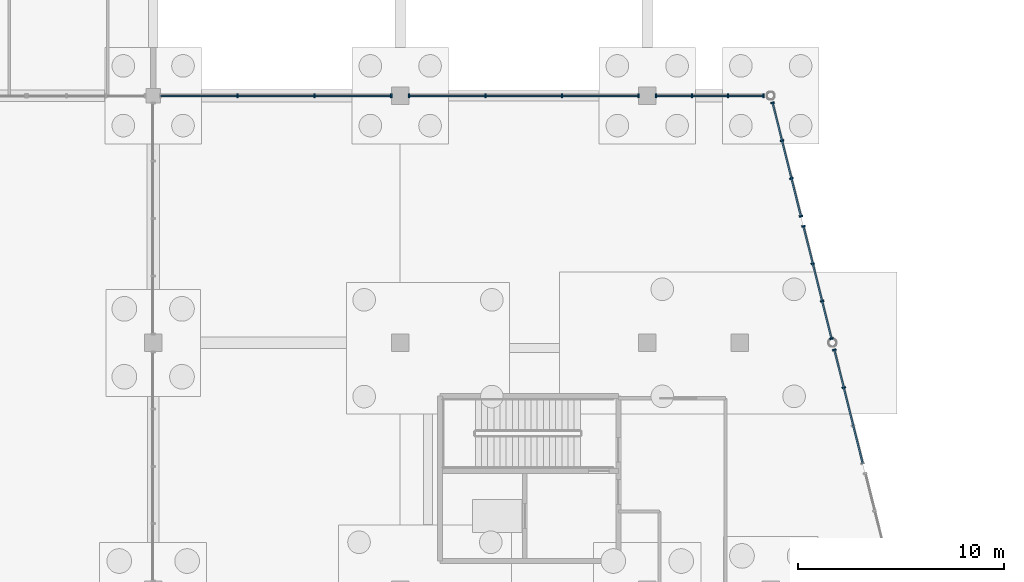
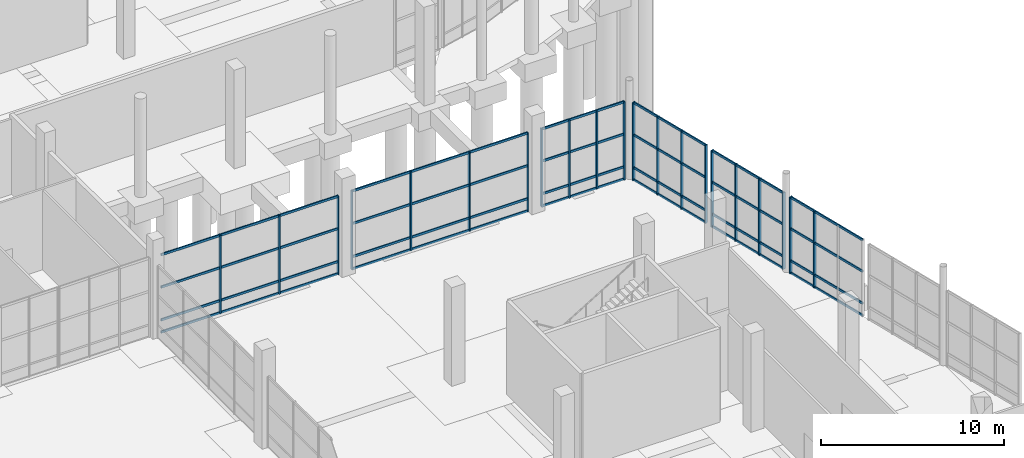
# One storey, part 54 of 117: 45 members, 6 elements without a shape of their own.
"""IFC4 building model written with IfcOpenShell, lengths in metres."""

from ifc_helpers import new_model, si_unit, direction, frame, origin, origin_2d, place, context, subcontext, project, spatial, rectangle, extrude, material, material_profile, profile_set, type_object, element, aggregate, save


model = new_model("IFC4")

# Units and contexts
model_context = context("Model", 3, precision=1e-05, world=origin(), true_north=direction((0.0, 1.0)))
body_context = subcontext(model_context, "Body", "Model", "MODEL_VIEW")
ifc_project = project(units=[si_unit("LENGTHUNIT", "METRE"), si_unit("AREAUNIT", "SQUARE_METRE"), si_unit("VOLUMEUNIT", "CUBIC_METRE"), si_unit("PLANEANGLEUNIT", "RADIAN"), si_unit("MASSUNIT", "GRAM", prefix="KILO")], contexts=[model_context])

# Site, building, storey
site_placement = place(None, origin())
site = spatial("IfcSite", under=ifc_project, at=site_placement, CompositionType="ELEMENT")
building_placement = place(site_placement, origin())
building = spatial("IfcBuilding", under=site, at=building_placement, Name="Kamomehara Wholesale Market", CompositionType="ELEMENT")
storey_placement = place(building_placement, origin())
storey = spatial("IfcBuildingStorey", under=building, at=storey_placement, Name="L00", CompositionType="ELEMENT", Elevation=0.0)

# Curtain wall, members
ifc_material_1 = material(Name="Anodised aluminium 6063-T5", Category="aluminium")
curtain_wall_type_1 = type_object("IfcCurtainWallType", Name="CW-UN-09", PredefinedType="NOTDEFINED", material=ifc_material_1)
curtain_wall_1_placement = place(storey_placement, origin())
curtain_wall_1 = element("IfcCurtainWall", 1, at=curtain_wall_1_placement, inside=storey, type_object=curtain_wall_type_1, Name="Unitised curtain wall CW-167", PredefinedType="NOTDEFINED")
ifc_material_2 = material(Name="Anodised aluminium 6063-T5", Category="aluminium")
ifc_material_profile_1 = material_profile(ifc_material_2, rectangle(XDim=0.074951171875, YDim=0.179931640625, at=origin_2d()), Name="ALU-MUL-75x180")
ifc_profile_set_1 = profile_set([ifc_material_profile_1], Name="Anodised aluminium 6063-T5")
member_type_1 = type_object("IfcMemberType", Name="CW-MUL-180", PredefinedType="MULLION", material=ifc_profile_set_1)
member_1_placement = place(storey_placement, frame((189.0849609375, 83.659912109375, 0.0), z_axis=(0.0, 0.0, 1.0), x_axis=(0.242617855844, -0.97012193874, 0.0)))
member_1 = element("IfcMember", 2, at=member_1_placement, type_object=member_type_1, Name="Mullion CW-167.0", PredefinedType="MULLION", context=body_context, shape_type="SweptSolid", body=[
    extrude(rectangle(XDim=0.074951171875, YDim=0.179931640625, at=origin_2d()), origin(), (0.0, 0.0, 1.0), 5.1279296875),
])
member_2_placement = place(storey_placement, frame((189.544921875, 81.822021484375, 0.0), z_axis=(0.0, 0.0, 1.0), x_axis=(0.242617855844, -0.97012193874, 0.0)))
member_2 = element("IfcMember", 3, at=member_2_placement, type_object=member_type_1, Name="Mullion CW-167.1", PredefinedType="MULLION", context=body_context, shape_type="SweptSolid", body=[
    extrude(rectangle(XDim=0.074951171875, YDim=0.179931640625, at=origin_2d()), origin(), (0.0, 0.0, 1.0), 5.1279296875),
])

curtain_wall_2_placement = place(storey_placement, origin())
curtain_wall_2 = element("IfcCurtainWall", 4, at=curtain_wall_2_placement, inside=storey, type_object=curtain_wall_type_1, Name="Unitised curtain wall CW-169", PredefinedType="NOTDEFINED")
member_3_placement = place(storey_placement, frame((186.0849609375, 95.659912109375, 0.0), z_axis=(0.0, 0.0, 1.0), x_axis=(0.242617855844, -0.97012193874, 0.0)))
member_3 = element("IfcMember", 5, at=member_3_placement, type_object=member_type_1, Name="Mullion CW-169.0", PredefinedType="MULLION", context=body_context, shape_type="SweptSolid", body=[
    extrude(rectangle(XDim=0.074951171875, YDim=0.179931640625, at=origin_2d()), origin(), (0.0, 0.0, 1.0), 5.22802734375),
])
member_4_placement = place(storey_placement, frame((186.544921875, 93.822021484375, 0.0), z_axis=(0.0, 0.0, 1.0), x_axis=(0.242617855844, -0.97012193874, 0.0)))
member_4 = element("IfcMember", 6, at=member_4_placement, type_object=member_type_1, Name="Mullion CW-169.1", PredefinedType="MULLION", context=body_context, shape_type="SweptSolid", body=[
    extrude(rectangle(XDim=0.074951171875, YDim=0.179931640625, at=origin_2d()), origin(), (0.0, 0.0, 1.0), 5.22802734375),
])
member_5_placement = place(storey_placement, frame((187.00390625, 91.98388671875, 0.0), z_axis=(0.0, 0.0, 1.0), x_axis=(0.242617855844, -0.97012193874, 0.0)))
member_5 = element("IfcMember", 7, at=member_5_placement, type_object=member_type_1, Name="Mullion CW-169.2", PredefinedType="MULLION", context=body_context, shape_type="SweptSolid", body=[
    extrude(rectangle(XDim=0.074951171875, YDim=0.179931640625, at=origin_2d()), origin(), (0.0, 0.0, 1.0), 5.22802734375),
])
member_6_placement = place(storey_placement, frame((187.464111328125, 90.14599609375, 0.0), z_axis=(0.0, 0.0, 1.0), x_axis=(0.242617855844, -0.97012193874, 0.0)))
member_6 = element("IfcMember", 8, at=member_6_placement, type_object=member_type_1, Name="Mullion CW-169.3", PredefinedType="MULLION", context=body_context, shape_type="SweptSolid", body=[
    extrude(rectangle(XDim=0.074951171875, YDim=0.179931640625, at=origin_2d()), origin(), (0.0, 0.0, 1.0), 5.22802734375),
])

curtain_wall_3_placement = place(storey_placement, origin())
curtain_wall_3 = element("IfcCurtainWall", 9, at=curtain_wall_3_placement, inside=storey, type_object=curtain_wall_type_1, Name="Unitised curtain wall CW-170", PredefinedType="NOTDEFINED")
member_7_placement = place(storey_placement, frame((187.5849609375, 89.659912109375, 0.0), z_axis=(0.0, 0.0, 1.0), x_axis=(0.242494251575, -0.970152842573, 0.0)))
member_7 = element("IfcMember", 10, at=member_7_placement, type_object=member_type_1, Name="Mullion CW-170.0", PredefinedType="MULLION", context=body_context, shape_type="SweptSolid", body=[
    extrude(rectangle(XDim=0.074951171875, YDim=0.179931640625, at=origin_2d()), origin(), (0.0, 0.0, 1.0), 5.1279296875),
])
member_8_placement = place(storey_placement, frame((188.0390625, 87.842041015625, 0.0), z_axis=(0.0, 0.0, 1.0), x_axis=(0.242494251575, -0.970152842573, 0.0)))
member_8 = element("IfcMember", 11, at=member_8_placement, type_object=member_type_1, Name="Mullion CW-170.1", PredefinedType="MULLION", context=body_context, shape_type="SweptSolid", body=[
    extrude(rectangle(XDim=0.074951171875, YDim=0.179931640625, at=origin_2d()), origin(), (0.0, 0.0, 1.0), 5.1279296875),
])
member_9_placement = place(storey_placement, frame((188.493896484375, 86.02490234375, 0.0), z_axis=(0.0, 0.0, 1.0), x_axis=(0.242494251575, -0.970152842573, 0.0)))
member_9 = element("IfcMember", 12, at=member_9_placement, type_object=member_type_1, Name="Mullion CW-170.2", PredefinedType="MULLION", context=body_context, shape_type="SweptSolid", body=[
    extrude(rectangle(XDim=0.074951171875, YDim=0.179931640625, at=origin_2d()), origin(), (0.0, 0.0, 1.0), 5.1279296875),
])
member_10_placement = place(storey_placement, frame((188.947998046875, 84.20703125, 0.0), z_axis=(0.0, 0.0, 1.0), x_axis=(0.242494251575, -0.970152842573, 0.0)))
member_10 = element("IfcMember", 13, at=member_10_placement, type_object=member_type_1, Name="Mullion CW-170.3", PredefinedType="MULLION", context=body_context, shape_type="SweptSolid", body=[
    extrude(rectangle(XDim=0.074951171875, YDim=0.179931640625, at=origin_2d()), origin(), (0.0, 0.0, 1.0), 5.1279296875),
])

ifc_material_3 = material(Name="Anodised aluminium 6063-T5", Category="aluminium")
curtain_wall_type_2 = type_object("IfcCurtainWallType", Name="CW-UN-08", PredefinedType="NOTDEFINED", material=ifc_material_3)
curtain_wall_4_placement = place(storey_placement, origin())
curtain_wall_4 = element("IfcCurtainWall", 14, at=curtain_wall_4_placement, inside=storey, type_object=curtain_wall_type_2, Name="Unitised curtain wall CW-171", PredefinedType="NOTDEFINED")
member_11_placement = place(storey_placement, frame((160.094970703125, 96.0, 0.0), z_axis=(0.0, 0.0, 1.0), x_axis=(1.0, 0.0, 0.0)))
member_11 = element("IfcMember", 15, at=member_11_placement, type_object=member_type_1, Name="Mullion CW-171.1", PredefinedType="MULLION", context=body_context, shape_type="SweptSolid", body=[
    extrude(rectangle(XDim=0.074951171875, YDim=0.179931640625, at=origin_2d()), origin(), (0.0, 0.0, 1.0), 5.248046875),
])
member_12_placement = place(storey_placement, frame((163.830078125, 96.0, 0.0), z_axis=(0.0, 0.0, 1.0), x_axis=(1.0, 0.0, 0.0)))
member_12 = element("IfcMember", 16, at=member_12_placement, type_object=member_type_1, Name="Mullion CW-171.2", PredefinedType="MULLION", context=body_context, shape_type="SweptSolid", body=[
    extrude(rectangle(XDim=0.074951171875, YDim=0.179931640625, at=origin_2d()), origin(), (0.0, 0.0, 1.0), 5.248046875),
])
member_13_placement = place(storey_placement, frame((167.56494140625, 96.0, 0.0), z_axis=(0.0, 0.0, 1.0), x_axis=(1.0, 0.0, 0.0)))
member_13 = element("IfcMember", 17, at=member_13_placement, type_object=member_type_1, Name="Mullion CW-171.3", PredefinedType="MULLION", context=body_context, shape_type="SweptSolid", body=[
    extrude(rectangle(XDim=0.074951171875, YDim=0.179931640625, at=origin_2d()), origin(), (0.0, 0.0, 1.0), 5.248046875),
])

curtain_wall_5_placement = place(storey_placement, origin())
curtain_wall_5 = element("IfcCurtainWall", 18, at=curtain_wall_5_placement, inside=storey, type_object=curtain_wall_type_2, Name="Unitised curtain wall CW-172", PredefinedType="NOTDEFINED")
member_14_placement = place(storey_placement, frame((168.43505859375, 96.0, 0.0), z_axis=(0.0, 0.0, 1.0), x_axis=(1.0, 0.0, 0.0)))
member_14 = element("IfcMember", 19, at=member_14_placement, type_object=member_type_1, Name="Mullion CW-172.0", PredefinedType="MULLION", context=body_context, shape_type="SweptSolid", body=[
    extrude(rectangle(XDim=0.074951171875, YDim=0.179931640625, at=origin_2d()), origin(), (0.0, 0.0, 1.0), 5.278076171875),
])
member_15_placement = place(storey_placement, frame((172.14501953125, 96.0, 0.0), z_axis=(0.0, 0.0, 1.0), x_axis=(1.0, 0.0, 0.0)))
member_15 = element("IfcMember", 20, at=member_15_placement, type_object=member_type_1, Name="Mullion CW-172.1", PredefinedType="MULLION", context=body_context, shape_type="SweptSolid", body=[
    extrude(rectangle(XDim=0.074951171875, YDim=0.179931640625, at=origin_2d()), origin(), (0.0, 0.0, 1.0), 5.278076171875),
])
member_16_placement = place(storey_placement, frame((175.85498046875, 96.0, 0.0), z_axis=(0.0, 0.0, 1.0), x_axis=(1.0, 0.0, 0.0)))
member_16 = element("IfcMember", 21, at=member_16_placement, type_object=member_type_1, Name="Mullion CW-172.2", PredefinedType="MULLION", context=body_context, shape_type="SweptSolid", body=[
    extrude(rectangle(XDim=0.074951171875, YDim=0.179931640625, at=origin_2d()), origin(), (0.0, 0.0, 1.0), 5.278076171875),
])
member_17_placement = place(storey_placement, frame((179.56494140625, 96.0, 0.0), z_axis=(0.0, 0.0, 1.0), x_axis=(1.0, 0.0, 0.0)))
member_17 = element("IfcMember", 22, at=member_17_placement, type_object=member_type_1, Name="Mullion CW-172.3", PredefinedType="MULLION", context=body_context, shape_type="SweptSolid", body=[
    extrude(rectangle(XDim=0.074951171875, YDim=0.179931640625, at=origin_2d()), origin(), (0.0, 0.0, 1.0), 5.278076171875),
])

curtain_wall_6_placement = place(storey_placement, origin())
curtain_wall_6 = element("IfcCurtainWall", 23, at=curtain_wall_6_placement, inside=storey, type_object=curtain_wall_type_2, Name="Unitised curtain wall CW-173", PredefinedType="NOTDEFINED")
member_18_placement = place(storey_placement, frame((180.43505859375, 96.0, 0.0), z_axis=(0.0, 0.0, 1.0), x_axis=(1.0, 0.0, 0.0)))
member_18 = element("IfcMember", 24, at=member_18_placement, type_object=member_type_1, Name="Mullion CW-173.0", PredefinedType="MULLION", context=body_context, shape_type="SweptSolid", body=[
    extrude(rectangle(XDim=0.074951171875, YDim=0.179931640625, at=origin_2d()), origin(), (0.0, 0.0, 1.0), 5.22802734375),
])
member_19_placement = place(storey_placement, frame((182.173095703125, 96.0, 0.0), z_axis=(0.0, 0.0, 1.0), x_axis=(1.0, 0.0, 0.0)))
member_19 = element("IfcMember", 25, at=member_19_placement, type_object=member_type_1, Name="Mullion CW-173.1", PredefinedType="MULLION", context=body_context, shape_type="SweptSolid", body=[
    extrude(rectangle(XDim=0.074951171875, YDim=0.179931640625, at=origin_2d()), origin(), (0.0, 0.0, 1.0), 5.22802734375),
])
member_20_placement = place(storey_placement, frame((183.912109375, 96.0, 0.0), z_axis=(0.0, 0.0, 1.0), x_axis=(1.0, 0.0, 0.0)))
member_20 = element("IfcMember", 26, at=member_20_placement, type_object=member_type_1, Name="Mullion CW-173.2", PredefinedType="MULLION", context=body_context, shape_type="SweptSolid", body=[
    extrude(rectangle(XDim=0.074951171875, YDim=0.179931640625, at=origin_2d()), origin(), (0.0, 0.0, 1.0), 5.22802734375),
])
member_21_placement = place(storey_placement, frame((185.64990234375, 96.0, 0.0), z_axis=(0.0, 0.0, 1.0), x_axis=(1.0, 0.0, 0.0)))
member_21 = element("IfcMember", 27, at=member_21_placement, type_object=member_type_1, Name="Mullion CW-173.3", PredefinedType="MULLION", context=body_context, shape_type="SweptSolid", body=[
    extrude(rectangle(XDim=0.074951171875, YDim=0.179931640625, at=origin_2d()), origin(), (0.0, 0.0, 1.0), 5.22802734375),
])

# Member
ifc_material_4 = material(Name="Anodised aluminium 6063-T5", Category="aluminium")
ifc_material_profile_2 = material_profile(ifc_material_4, rectangle(XDim=0.074951171875, YDim=0.14990234375, at=origin_2d()), Name="ALU-TRN-75x150")
ifc_profile_set_2 = profile_set([ifc_material_profile_2], Name="Anodised aluminium 6063-T5")
member_type_2 = type_object("IfcMemberType", Name="CW-TRN-150", PredefinedType="USERDEFINED", material=ifc_profile_set_2)
member_22_placement = place(storey_placement, frame((189.0849609375, 83.659912109375, 0.0400390625), z_axis=(0.242646798343, -0.97011470005, 0.0), x_axis=(0.97011470005, 0.242646798343, 0.0)))
member_22 = element("IfcMember", 28, at=member_22_placement, type_object=member_type_2, Name="Transom CW-167.0", ObjectType="TRANSOM", PredefinedType="USERDEFINED", context=body_context, shape_type="SweptSolid", body=[
    extrude(rectangle(XDim=0.074951171875, YDim=0.14990234375, at=origin_2d()), origin(), (0.0, 0.0, 1.0), 5.683837890625),
])

member_23_placement = place(storey_placement, frame((189.0849609375, 83.659912109375, 0.85009765625), z_axis=(0.242646798343, -0.97011470005, 0.0), x_axis=(0.97011470005, 0.242646798343, 0.0)))
member_23 = element("IfcMember", 29, at=member_23_placement, type_object=member_type_2, Name="Transom CW-167.1", ObjectType="TRANSOM", PredefinedType="USERDEFINED", context=body_context, shape_type="SweptSolid", body=[
    extrude(rectangle(XDim=0.074951171875, YDim=0.14990234375, at=origin_2d()), origin(), (0.0, 0.0, 1.0), 5.683837890625),
])

member_24_placement = place(storey_placement, frame((189.0849609375, 83.659912109375, 2.989013671875), z_axis=(0.242646798343, -0.97011470005, 0.0), x_axis=(0.97011470005, 0.242646798343, 0.0)))
member_24 = element("IfcMember", 30, at=member_24_placement, type_object=member_type_2, Name="Transom CW-167.2", ObjectType="TRANSOM", PredefinedType="USERDEFINED", context=body_context, shape_type="SweptSolid", body=[
    extrude(rectangle(XDim=0.074951171875, YDim=0.14990234375, at=origin_2d()), origin(), (0.0, 0.0, 1.0), 5.683837890625),
])

member_25_placement = place(storey_placement, frame((189.0849609375, 83.659912109375, 5.087890625), z_axis=(0.242646798343, -0.97011470005, 0.0), x_axis=(0.97011470005, 0.242646798343, 0.0)))
member_25 = element("IfcMember", 31, at=member_25_placement, type_object=member_type_2, Name="Transom CW-167.3", ObjectType="TRANSOM", PredefinedType="USERDEFINED", context=body_context, shape_type="SweptSolid", body=[
    extrude(rectangle(XDim=0.074951171875, YDim=0.14990234375, at=origin_2d()), origin(), (0.0, 0.0, 1.0), 5.683837890625),
])

aggregate(curtain_wall_1, [member_1, member_2, member_22, member_23, member_24, member_25])

member_26_placement = place(storey_placement, frame((186.0849609375, 95.659912109375, 0.0400390625), z_axis=(0.242646798343, -0.97011470005, 0.0), x_axis=(0.97011470005, 0.242646798343, 0.0)))
member_26 = element("IfcMember", 32, at=member_26_placement, type_object=member_type_2, Name="Transom CW-169.0", ObjectType="TRANSOM", PredefinedType="USERDEFINED", context=body_context, shape_type="SweptSolid", body=[
    extrude(rectangle(XDim=0.074951171875, YDim=0.14990234375, at=origin_2d()), origin(), (0.0, 0.0, 1.0), 5.683837890625),
])

member_27_placement = place(storey_placement, frame((186.0849609375, 95.659912109375, 0.85009765625), z_axis=(0.242646798343, -0.97011470005, 0.0), x_axis=(0.97011470005, 0.242646798343, 0.0)))
member_27 = element("IfcMember", 33, at=member_27_placement, type_object=member_type_2, Name="Transom CW-169.1", ObjectType="TRANSOM", PredefinedType="USERDEFINED", context=body_context, shape_type="SweptSolid", body=[
    extrude(rectangle(XDim=0.074951171875, YDim=0.14990234375, at=origin_2d()), origin(), (0.0, 0.0, 1.0), 5.683837890625),
])

member_28_placement = place(storey_placement, frame((186.0849609375, 95.659912109375, 3.0390625), z_axis=(0.242646798343, -0.97011470005, 0.0), x_axis=(0.97011470005, 0.242646798343, 0.0)))
member_28 = element("IfcMember", 34, at=member_28_placement, type_object=member_type_2, Name="Transom CW-169.2", ObjectType="TRANSOM", PredefinedType="USERDEFINED", context=body_context, shape_type="SweptSolid", body=[
    extrude(rectangle(XDim=0.074951171875, YDim=0.14990234375, at=origin_2d()), origin(), (0.0, 0.0, 1.0), 5.683837890625),
])

member_29_placement = place(storey_placement, frame((186.0849609375, 95.659912109375, 5.18798828125), z_axis=(0.242646798343, -0.97011470005, 0.0), x_axis=(0.97011470005, 0.242646798343, 0.0)))
member_29 = element("IfcMember", 35, at=member_29_placement, type_object=member_type_2, Name="Transom CW-169.3", ObjectType="TRANSOM", PredefinedType="USERDEFINED", context=body_context, shape_type="SweptSolid", body=[
    extrude(rectangle(XDim=0.074951171875, YDim=0.14990234375, at=origin_2d()), origin(), (0.0, 0.0, 1.0), 5.683837890625),
])

aggregate(curtain_wall_2, [member_3, member_4, member_5, member_6, member_26, member_27, member_28, member_29])

member_30_placement = place(storey_placement, frame((187.5849609375, 89.659912109375, 0.0400390625), z_axis=(0.242504963985, -0.970150164893, 0.0), x_axis=(0.970150164893, 0.242504963985, 0.0)))
member_30 = element("IfcMember", 36, at=member_30_placement, type_object=member_type_2, Name="Transom CW-170.0", ObjectType="TRANSOM", PredefinedType="USERDEFINED", context=body_context, shape_type="SweptSolid", body=[
    extrude(rectangle(XDim=0.074951171875, YDim=0.14990234375, at=origin_2d()), origin(), (0.0, 0.0, 1.0), 5.62060546875),
])

member_31_placement = place(storey_placement, frame((187.5849609375, 89.659912109375, 0.85009765625), z_axis=(0.242504963985, -0.970150164893, 0.0), x_axis=(0.970150164893, 0.242504963985, 0.0)))
member_31 = element("IfcMember", 37, at=member_31_placement, type_object=member_type_2, Name="Transom CW-170.1", ObjectType="TRANSOM", PredefinedType="USERDEFINED", context=body_context, shape_type="SweptSolid", body=[
    extrude(rectangle(XDim=0.074951171875, YDim=0.14990234375, at=origin_2d()), origin(), (0.0, 0.0, 1.0), 5.62060546875),
])

member_32_placement = place(storey_placement, frame((187.5849609375, 89.659912109375, 2.989013671875), z_axis=(0.242504963985, -0.970150164893, 0.0), x_axis=(0.970150164893, 0.242504963985, 0.0)))
member_32 = element("IfcMember", 38, at=member_32_placement, type_object=member_type_2, Name="Transom CW-170.2", ObjectType="TRANSOM", PredefinedType="USERDEFINED", context=body_context, shape_type="SweptSolid", body=[
    extrude(rectangle(XDim=0.074951171875, YDim=0.14990234375, at=origin_2d()), origin(), (0.0, 0.0, 1.0), 5.62060546875),
])

member_33_placement = place(storey_placement, frame((187.5849609375, 89.659912109375, 5.087890625), z_axis=(0.242504963985, -0.970150164893, 0.0), x_axis=(0.970150164893, 0.242504963985, 0.0)))
member_33 = element("IfcMember", 39, at=member_33_placement, type_object=member_type_2, Name="Transom CW-170.3", ObjectType="TRANSOM", PredefinedType="USERDEFINED", context=body_context, shape_type="SweptSolid", body=[
    extrude(rectangle(XDim=0.074951171875, YDim=0.14990234375, at=origin_2d()), origin(), (0.0, 0.0, 1.0), 5.62060546875),
])

aggregate(curtain_wall_3, [member_7, member_8, member_9, member_10, member_30, member_31, member_32, member_33])

member_34_placement = place(storey_placement, frame((156.360107421875, 96.0, 0.0400390625), z_axis=(1.0, 0.0, 0.0), x_axis=(0.0, 1.0, 0.0)))
member_34 = element("IfcMember", 40, at=member_34_placement, type_object=member_type_2, Name="Transom CW-171.0", ObjectType="TRANSOM", PredefinedType="USERDEFINED", context=body_context, shape_type="SweptSolid", body=[
    extrude(rectangle(XDim=0.074951171875, YDim=0.14990234375, at=origin_2d()), origin(), (0.0, 0.0, 1.0), 11.204833984375),
])

member_35_placement = place(storey_placement, frame((156.360107421875, 96.0, 0.85009765625), z_axis=(1.0, 0.0, 0.0), x_axis=(0.0, 1.0, 0.0)))
member_35 = element("IfcMember", 41, at=member_35_placement, type_object=member_type_2, Name="Transom CW-171.1", ObjectType="TRANSOM", PredefinedType="USERDEFINED", context=body_context, shape_type="SweptSolid", body=[
    extrude(rectangle(XDim=0.074951171875, YDim=0.14990234375, at=origin_2d()), origin(), (0.0, 0.0, 1.0), 11.204833984375),
])

member_36_placement = place(storey_placement, frame((156.360107421875, 96.0, 3.049072265625), z_axis=(1.0, 0.0, 0.0), x_axis=(0.0, 1.0, 0.0)))
member_36 = element("IfcMember", 42, at=member_36_placement, type_object=member_type_2, Name="Transom CW-171.2", ObjectType="TRANSOM", PredefinedType="USERDEFINED", context=body_context, shape_type="SweptSolid", body=[
    extrude(rectangle(XDim=0.074951171875, YDim=0.14990234375, at=origin_2d()), origin(), (0.0, 0.0, 1.0), 11.204833984375),
])

member_37_placement = place(storey_placement, frame((156.360107421875, 96.0, 5.2080078125), z_axis=(1.0, 0.0, 0.0), x_axis=(0.0, 1.0, 0.0)))
member_37 = element("IfcMember", 43, at=member_37_placement, type_object=member_type_2, Name="Transom CW-171.3", ObjectType="TRANSOM", PredefinedType="USERDEFINED", context=body_context, shape_type="SweptSolid", body=[
    extrude(rectangle(XDim=0.074951171875, YDim=0.14990234375, at=origin_2d()), origin(), (0.0, 0.0, 1.0), 11.204833984375),
])

aggregate(curtain_wall_4, [member_11, member_12, member_13, member_34, member_35, member_36, member_37])

member_38_placement = place(storey_placement, frame((168.43505859375, 96.0, 0.0400390625), z_axis=(1.0, 0.0, 0.0), x_axis=(0.0, 1.0, 0.0)))
member_38 = element("IfcMember", 44, at=member_38_placement, type_object=member_type_2, Name="Transom CW-172.0", ObjectType="TRANSOM", PredefinedType="USERDEFINED", context=body_context, shape_type="SweptSolid", body=[
    extrude(rectangle(XDim=0.074951171875, YDim=0.14990234375, at=origin_2d()), origin(), (0.0, 0.0, 1.0), 11.1298828125),
])

member_39_placement = place(storey_placement, frame((168.43505859375, 96.0, 0.85009765625), z_axis=(1.0, 0.0, 0.0), x_axis=(0.0, 1.0, 0.0)))
member_39 = element("IfcMember", 45, at=member_39_placement, type_object=member_type_2, Name="Transom CW-172.1", ObjectType="TRANSOM", PredefinedType="USERDEFINED", context=body_context, shape_type="SweptSolid", body=[
    extrude(rectangle(XDim=0.074951171875, YDim=0.14990234375, at=origin_2d()), origin(), (0.0, 0.0, 1.0), 11.1298828125),
])

member_40_placement = place(storey_placement, frame((168.43505859375, 96.0, 3.06396484375), z_axis=(1.0, 0.0, 0.0), x_axis=(0.0, 1.0, 0.0)))
member_40 = element("IfcMember", 46, at=member_40_placement, type_object=member_type_2, Name="Transom CW-172.2", ObjectType="TRANSOM", PredefinedType="USERDEFINED", context=body_context, shape_type="SweptSolid", body=[
    extrude(rectangle(XDim=0.074951171875, YDim=0.14990234375, at=origin_2d()), origin(), (0.0, 0.0, 1.0), 11.1298828125),
])

member_41_placement = place(storey_placement, frame((168.43505859375, 96.0, 5.238037109375), z_axis=(1.0, 0.0, 0.0), x_axis=(0.0, 1.0, 0.0)))
member_41 = element("IfcMember", 47, at=member_41_placement, type_object=member_type_2, Name="Transom CW-172.3", ObjectType="TRANSOM", PredefinedType="USERDEFINED", context=body_context, shape_type="SweptSolid", body=[
    extrude(rectangle(XDim=0.074951171875, YDim=0.14990234375, at=origin_2d()), origin(), (0.0, 0.0, 1.0), 11.1298828125),
])

aggregate(curtain_wall_5, [member_14, member_15, member_16, member_17, member_38, member_39, member_40, member_41])

member_42_placement = place(storey_placement, frame((180.43505859375, 96.0, 0.0400390625), z_axis=(1.0, 0.0, 0.0), x_axis=(0.0, 1.0, 0.0)))
member_42 = element("IfcMember", 48, at=member_42_placement, type_object=member_type_2, Name="Transom CW-173.0", ObjectType="TRANSOM", PredefinedType="USERDEFINED", context=body_context, shape_type="SweptSolid", body=[
    extrude(rectangle(XDim=0.074951171875, YDim=0.14990234375, at=origin_2d()), origin(), (0.0, 0.0, 1.0), 5.21484375),
])

member_43_placement = place(storey_placement, frame((180.43505859375, 96.0, 0.85009765625), z_axis=(1.0, 0.0, 0.0), x_axis=(0.0, 1.0, 0.0)))
member_43 = element("IfcMember", 49, at=member_43_placement, type_object=member_type_2, Name="Transom CW-173.1", ObjectType="TRANSOM", PredefinedType="USERDEFINED", context=body_context, shape_type="SweptSolid", body=[
    extrude(rectangle(XDim=0.074951171875, YDim=0.14990234375, at=origin_2d()), origin(), (0.0, 0.0, 1.0), 5.21484375),
])

member_44_placement = place(storey_placement, frame((180.43505859375, 96.0, 3.0390625), z_axis=(1.0, 0.0, 0.0), x_axis=(0.0, 1.0, 0.0)))
member_44 = element("IfcMember", 50, at=member_44_placement, type_object=member_type_2, Name="Transom CW-173.2", ObjectType="TRANSOM", PredefinedType="USERDEFINED", context=body_context, shape_type="SweptSolid", body=[
    extrude(rectangle(XDim=0.074951171875, YDim=0.14990234375, at=origin_2d()), origin(), (0.0, 0.0, 1.0), 5.21484375),
])

member_45_placement = place(storey_placement, frame((180.43505859375, 96.0, 5.18798828125), z_axis=(1.0, 0.0, 0.0), x_axis=(0.0, 1.0, 0.0)))
member_45 = element("IfcMember", 51, at=member_45_placement, type_object=member_type_2, Name="Transom CW-173.3", ObjectType="TRANSOM", PredefinedType="USERDEFINED", context=body_context, shape_type="SweptSolid", body=[
    extrude(rectangle(XDim=0.074951171875, YDim=0.14990234375, at=origin_2d()), origin(), (0.0, 0.0, 1.0), 5.21484375),
])

aggregate(curtain_wall_6, [member_18, member_19, member_20, member_21, member_42, member_43, member_44, member_45])

save(model, "model.ifc")
